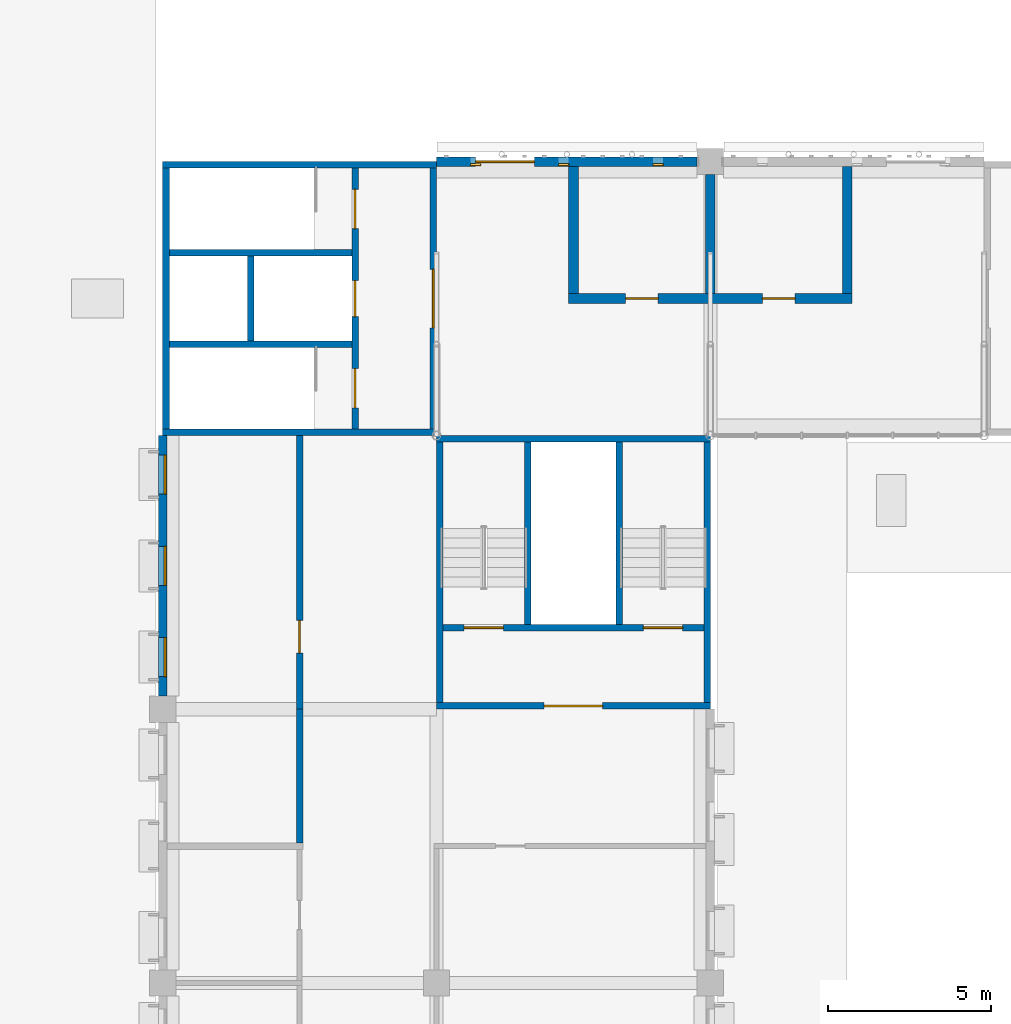
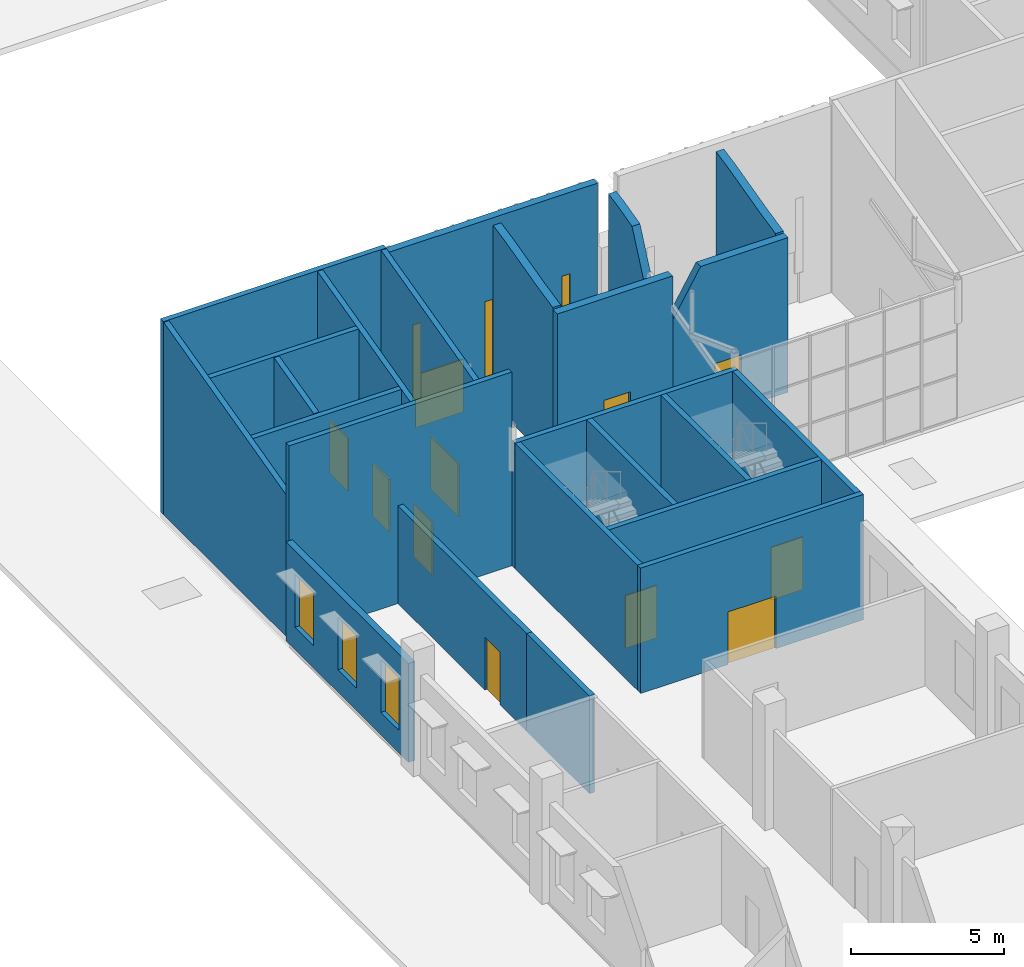
# One storey, part 34 of 101: 24 walls, 11 doors, 6 windows, 17 openings.
"""IFC4 building model written with IfcOpenShell, lengths in metres."""

from ifc_helpers import new_model, si_unit, direction, frame, frame_2d, origin, place, context, subcontext, project, spatial, polyline, rectangle, outline, extrude, material, layer, layer_set, type_object, element, fill, save


model = new_model("IFC4")

# Units and contexts
model_context = context("Model", 3, precision=1e-05, world=origin(), true_north=direction((0.0, 1.0)))
body_context = subcontext(model_context, "Body", "Model", "MODEL_VIEW")
ifc_project = project(units=[si_unit("LENGTHUNIT", "METRE"), si_unit("AREAUNIT", "SQUARE_METRE"), si_unit("VOLUMEUNIT", "CUBIC_METRE"), si_unit("PLANEANGLEUNIT", "RADIAN"), si_unit("MASSUNIT", "GRAM", prefix="KILO")], contexts=[model_context])

# Site, building, storey
site_placement = place(None, origin())
site = spatial("IfcSite", under=ifc_project, at=site_placement, CompositionType="ELEMENT")
building_placement = place(site_placement, origin())
building = spatial("IfcBuilding", under=site, at=building_placement, Name="Almond Square Museum", CompositionType="ELEMENT")
storey_placement = place(building_placement, frame((0.0, 0.0, 5.5)))
storey = spatial("IfcBuildingStorey", under=building, at=storey_placement, Name="L01", CompositionType="ELEMENT", Elevation=5.5)

# Wall
ifc_material_1 = material(Name="Acoustic gypsum board on double steel stud", Category="steel")
ifc_layer_1 = layer(ifc_material_1, 0.300048828125)
ifc_layer_set_1 = layer_set([ifc_layer_1], Name="Acoustic gypsum board on double steel stud")
wall_type_1 = type_object("IfcWallType", Name="Acoustic wall 300 double stud", PredefinedType="PARTITIONING", material=ifc_layer_set_1)
wall_1_placement = place(storey_placement, frame((18.60009765625, 79.949951171875, 0.0), z_axis=(0.0, 0.0, 1.0), x_axis=(0.0, 1.0, 0.0)))
element("IfcWall", 1, at=wall_1_placement, inside=storey, type_object=wall_type_1, Name="L01 partition 27", PredefinedType="PARTITIONING", context=body_context, shape_type="SweptSolid", body=[
    extrude(outline(polyline([(0.0, 0.0), (3.900146484375, 0.0), (3.89990234375, 7.14892578125), (3.14990234375, 6.9970703125), (2.10009765625, 6.73193359375), (1.050048828125, 6.466064453125), (0.0, 6.238037109375), (0.0, 0.0)])), frame((0.0, 0.14990234375, 0.0), z_axis=(0.0, -1.0, 0.0), x_axis=(1.0, 0.0, 0.0)), (0.0, 0.0, 1.0), 0.300048828125),
])

# Wall, opening, door
wall_2_placement = place(storey_placement, frame((18.449951171875, 79.800048828125, 0.0), z_axis=(0.0, 0.0, 1.0), x_axis=(1.0, 0.0, 0.0)))
wall_2 = element("IfcWall", 2, at=wall_2_placement, inside=storey, type_object=wall_type_1, Name="L01 partition 28", PredefinedType="PARTITIONING", context=body_context, shape_type="SweptSolid", body=[
    extrude(rectangle(XDim=4.35009765625, YDim=0.300048828125, at=frame_2d((2.175048828125, 0.0))), origin(), (0.0, 0.0, 1.0), 6.162109375),
])
opening_1_placement = place(wall_2_placement, frame((1.75, 0.0, 0.0)))
opening_1 = element("IfcOpeningElement", 3, at=opening_1_placement, cuts=wall_2, Name="Opening D1107", PredefinedType="OPENING", context=body_context, shape_type="SweptSolid", body=[
    extrude(rectangle(XDim=1.0, YDim=2.10009765625, at=frame_2d((0.5, 1.050048828125))), frame((0.0, 0.159912109375, 0.0), z_axis=(0.0, -1.0, 0.0), x_axis=(1.0, 0.0, 0.0)), (0.0, 0.0, 1.0), 0.320068359375),
])
ifc_material_2 = material(Name="Steel", Category="steel")
door_type_1 = type_object("IfcDoorType", Name="Fire door 1000 x 2100 FD60 single", OperationType="NOTDEFINED", PredefinedType="DOOR", material=ifc_material_2)
door_1_placement = place(opening_1_placement, origin())
door_1 = element("IfcDoor", 4, at=door_1_placement, inside=storey, type_object=door_type_1, Name="L01 door Control Room to Rear Foyer", OperationType="SINGLE_SWING_LEFT", OverallHeight=2.10009765625, OverallWidth=1.0, PredefinedType="DOOR", context=body_context, shape_type="SweptSolid", body=[
    extrude(rectangle(XDim=1.0, YDim=2.10009765625, at=frame_2d((0.5, 1.050048828125))), frame((0.0, 0.02490234375, 0.0), z_axis=(0.0, -1.0, 0.0), x_axis=(1.0, 0.0, 0.0)), (0.0, 0.0, 1.0), 0.050048828125),
])
fill(opening_1, door_1)

wall_3_placement = place(storey_placement, frame((22.800048828125, 79.800048828125, 0.0), z_axis=(0.0, 0.0, 1.0), x_axis=(1.0, 0.0, 0.0)))
wall_3 = element("IfcWall", 5, at=wall_3_placement, inside=storey, type_object=wall_type_1, Name="L01 partition 29", PredefinedType="PARTITIONING", context=body_context, shape_type="SweptSolid", body=[
    extrude(outline(polyline([(0.0, 0.0), (4.349853515625, 0.0), (4.35009765625, 6.162109375), (1.050048828125, 6.162109375), (0.0, 4.39794921875), (0.0, 0.0)])), frame((0.0, 0.14990234375, 0.0), z_axis=(0.0, -1.0, 0.0), x_axis=(1.0, 0.0, 0.0)), (0.0, 0.0, 1.0), 0.300048828125),
])
opening_2_placement = place(wall_3_placement, frame((1.60009765625, 0.0, 0.0)))
opening_2 = element("IfcOpeningElement", 6, at=opening_2_placement, cuts=wall_3, Name="Opening D1108", PredefinedType="OPENING", context=body_context, shape_type="SweptSolid", body=[
    extrude(rectangle(XDim=1.0, YDim=2.10009765625, at=frame_2d((0.5, 1.050048828125))), frame((0.0, 0.159912109375, 0.0), z_axis=(0.0, -1.0, 0.0), x_axis=(1.0, 0.0, 0.0)), (0.0, 0.0, 1.0), 0.320068359375),
])
door_2_placement = place(opening_2_placement, origin())
door_2 = element("IfcDoor", 7, at=door_2_placement, inside=storey, type_object=door_type_1, Name="L01 door Projection Room to Rear Foyer", OperationType="SINGLE_SWING_RIGHT", OverallHeight=2.10009765625, OverallWidth=1.0, PredefinedType="DOOR", context=body_context, shape_type="SweptSolid", body=[
    extrude(rectangle(XDim=1.0, YDim=2.10009765625, at=frame_2d((0.5, 1.050048828125))), frame((0.0, 0.02490234375, 0.0), z_axis=(0.0, -1.0, 0.0), x_axis=(1.0, 0.0, 0.0)), (0.0, 0.0, 1.0), 0.050048828125),
])
fill(opening_2, door_2)

# Walls
wall_4_placement = place(storey_placement, frame((22.800048828125, 79.949951171875, 0.0), z_axis=(0.0, 0.0, 1.0), x_axis=(0.0, 1.0, 0.0)))
element("IfcWall", 8, at=wall_4_placement, inside=storey, type_object=wall_type_1, Name="L01 partition 30", PredefinedType="PARTITIONING", context=body_context, shape_type="SweptSolid", body=[
    extrude(outline(polyline([(0.0, 0.0), (3.650146484375, 0.0), (3.64990234375, 7.0859375), (3.14990234375, 6.9970703125), (2.10009765625, 6.73193359375), (1.050048828125, 4.39794921875), (0.0, 4.39794921875), (0.0, 0.0)])), frame((0.0, 0.14990234375, 0.0), z_axis=(0.0, -1.0, 0.0), x_axis=(1.0, 0.0, 0.0)), (0.0, 0.0, 1.0), 0.300048828125),
])
wall_5_placement = place(storey_placement, frame((27.0, 79.949951171875, 0.0), z_axis=(0.0, 0.0, 1.0), x_axis=(0.0, 1.0, 0.0)))
element("IfcWall", 9, at=wall_5_placement, inside=storey, type_object=wall_type_1, Name="L01 partition 31", PredefinedType="PARTITIONING", context=body_context, shape_type="SweptSolid", body=[
    extrude(outline(polyline([(0.0, 0.0), (3.900146484375, 0.0), (3.89990234375, 7.14892578125), (3.14990234375, 6.9970703125), (2.10009765625, 6.73193359375), (1.050048828125, 6.466064453125), (0.0, 6.238037109375), (0.0, 0.0)])), frame((0.0, 0.14990234375, 0.0), z_axis=(0.0, -1.0, 0.0), x_axis=(1.0, 0.0, 0.0)), (0.0, 0.0, 1.0), 0.300048828125),
])
ifc_material_3 = material(Name="Concrete blockwork 200", Category="masonry")
ifc_layer_2 = layer(ifc_material_3, 0.199951171875)
ifc_layer_set_2 = layer_set([ifc_layer_2], Name="Concrete blockwork 200")
wall_type_2 = type_object("IfcWallType", Name="Fire partition 200 blockwork", PredefinedType="PARTITIONING", material=ifc_layer_set_2)
wall_6_placement = place(storey_placement, frame((10.199951171875, 63.10009765625, 0.0), z_axis=(0.0, 0.0, 1.0), x_axis=(0.0, 1.0, 0.0)))
element("IfcWall", 10, at=wall_6_placement, inside=storey, type_object=wall_type_2, Name="L01 partition 33", PredefinedType="PARTITIONING", context=body_context, shape_type="SweptSolid", body=[
    extrude(rectangle(XDim=4.099853515625, YDim=0.199951171875, at=frame_2d((2.0498046875, 0.0))), origin(), (0.0, 0.0, 1.0), 3.89990234375),
])

# Wall, opening, door
wall_7_placement = place(storey_placement, frame((10.199951171875, 67.199951171875, 0.0), z_axis=(0.0, 0.0, 1.0), x_axis=(0.0, 1.0, 0.0)))
wall_7 = element("IfcWall", 11, at=wall_7_placement, inside=storey, type_object=wall_type_2, Name="L01 partition 34", PredefinedType="PARTITIONING", context=body_context, shape_type="SweptSolid", body=[
    extrude(rectangle(XDim=8.400146484375, YDim=0.199951171875, at=frame_2d((4.2001953125, 0.0))), origin(), (0.0, 0.0, 1.0), 3.89990234375),
])
opening_3_placement = place(wall_7_placement, frame((1.72509765625, 0.0, 0.0)))
opening_3 = element("IfcOpeningElement", 12, at=opening_3_placement, cuts=wall_7, Name="Opening D1109", PredefinedType="OPENING", context=body_context, shape_type="SweptSolid", body=[
    extrude(rectangle(XDim=1.0, YDim=2.10009765625, at=frame_2d((0.5, 1.050048828125))), frame((0.0, 0.10986328125, 0.0), z_axis=(0.0, -1.0, 0.0), x_axis=(1.0, 0.0, 0.0)), (0.0, 0.0, 1.0), 0.219970703125),
])
door_3_placement = place(opening_3_placement, origin())
door_3 = element("IfcDoor", 13, at=door_3_placement, inside=storey, type_object=door_type_1, Name="L01 door Cleaners' Store 1 to Wing Corridor 3", OperationType="SINGLE_SWING_LEFT", OverallHeight=2.10009765625, OverallWidth=1.0, PredefinedType="DOOR", context=body_context, shape_type="SweptSolid", body=[
    extrude(rectangle(XDim=1.0, YDim=2.10009765625, at=frame_2d((0.5, 1.050048828125))), frame((0.0, 0.02490234375, 0.0), z_axis=(0.0, -1.0, 0.0), x_axis=(1.0, 0.0, 0.0)), (0.0, 0.0, 1.0), 0.050048828125),
])
fill(opening_3, door_3)

# Wall, openings, windows
ifc_material_4 = material(Name="Precast concrete C40/50", Category="concrete")
ifc_layer_3 = layer(ifc_material_4, 0.25)
ifc_layer_set_3 = layer_set([ifc_layer_3], Name="Precast concrete C40/50")
wall_type_3 = type_object("IfcWallType", Name="Precast concrete panel wall 250 with coral limestone piers", PredefinedType="SOLIDWALL", material=ifc_layer_set_3)
wall_8_placement = place(storey_placement, frame((6.0, 67.60009765625, 0.0), z_axis=(0.0, 0.0, 1.0), x_axis=(0.0, 1.0, 0.0)))
wall_8 = element("IfcWall", 14, at=wall_8_placement, inside=storey, type_object=wall_type_3, Name="External wall W2 V4W L01 W01", PredefinedType="SOLIDWALL", context=body_context, shape_type="SweptSolid", body=[
    extrude(rectangle(XDim=8.0, YDim=0.25, at=frame_2d((4.0, 0.0))), origin(), (0.0, 0.0, 1.0), 3.93994140625),
])
opening_4_placement = place(wall_8_placement, frame((0.60009765625, 0.0, 0.89990234375)))
opening_4 = element("IfcOpeningElement", 15, at=opening_4_placement, cuts=wall_8, Name="Opening W1038", PredefinedType="OPENING", context=body_context, shape_type="SweptSolid", body=[
    extrude(rectangle(XDim=1.199951171875, YDim=2.10009765625, at=frame_2d((0.60009765625, 1.050048828125))), frame((0.0, 0.135009765625, 0.0), z_axis=(0.0, -1.0, 0.0), x_axis=(1.0, 0.0, 0.0)), (0.0, 0.0, 1.0), 0.27001953125),
])
opening_5_placement = place(wall_8_placement, frame((3.39990234375, 0.0, 0.89990234375)))
opening_5 = element("IfcOpeningElement", 16, at=opening_5_placement, cuts=wall_8, Name="Opening W1039", PredefinedType="OPENING", context=body_context, shape_type="SweptSolid", body=[
    extrude(rectangle(XDim=1.199951171875, YDim=2.10009765625, at=frame_2d((0.60009765625, 1.050048828125))), frame((0.0, 0.135009765625, 0.0), z_axis=(0.0, -1.0, 0.0), x_axis=(1.0, 0.0, 0.0)), (0.0, 0.0, 1.0), 0.27001953125),
])
opening_6_placement = place(wall_8_placement, frame((6.199951171875, 0.0, 0.89990234375)))
opening_6 = element("IfcOpeningElement", 17, at=opening_6_placement, cuts=wall_8, Name="Opening W1040", PredefinedType="OPENING", context=body_context, shape_type="SweptSolid", body=[
    extrude(rectangle(XDim=1.199951171875, YDim=2.10009765625, at=frame_2d((0.60009765625, 1.050048828125))), frame((0.0, 0.135009765625, 0.0), z_axis=(0.0, -1.0, 0.0), x_axis=(1.0, 0.0, 0.0)), (0.0, 0.0, 1.0), 0.27001953125),
])
ifc_material_5 = material(Name="Anodised aluminium louvre and laminated glass", Category="aluminium")
window_type_1 = type_object("IfcWindowType", Name="Louvred pier window", PartitioningType="SINGLE_PANEL", PredefinedType="WINDOW", material=ifc_material_5)
window_1_placement = place(opening_4_placement, origin())
window_1 = element("IfcWindow", 18, at=window_1_placement, inside=storey, type_object=window_type_1, Name="Louvred pier window W1038", OverallHeight=2.10009765625, OverallWidth=1.199951171875, PartitioningType="SINGLE_PANEL", PredefinedType="WINDOW", context=body_context, shape_type="SweptSolid", body=[
    extrude(rectangle(XDim=1.199951171875, YDim=2.10009765625, at=frame_2d((0.60009765625, 1.050048828125))), frame((0.0, -0.044921875, 0.0), z_axis=(0.0, -1.0, 0.0), x_axis=(1.0, 0.0, 0.0)), (0.0, 0.0, 1.0), 0.06005859375),
])
fill(opening_4, window_1)
window_2_placement = place(opening_5_placement, origin())
window_2 = element("IfcWindow", 19, at=window_2_placement, inside=storey, type_object=window_type_1, Name="Louvred pier window W1039", OverallHeight=2.10009765625, OverallWidth=1.199951171875, PartitioningType="SINGLE_PANEL", PredefinedType="WINDOW", context=body_context, shape_type="SweptSolid", body=[
    extrude(rectangle(XDim=1.199951171875, YDim=2.10009765625, at=frame_2d((0.60009765625, 1.050048828125))), frame((0.0, -0.044921875, 0.0), z_axis=(0.0, -1.0, 0.0), x_axis=(1.0, 0.0, 0.0)), (0.0, 0.0, 1.0), 0.06005859375),
])
fill(opening_5, window_2)
window_3_placement = place(opening_6_placement, origin())
window_3 = element("IfcWindow", 20, at=window_3_placement, inside=storey, type_object=window_type_1, Name="Louvred pier window W1040", OverallHeight=2.10009765625, OverallWidth=1.199951171875, PartitioningType="SINGLE_PANEL", PredefinedType="WINDOW", context=body_context, shape_type="SweptSolid", body=[
    extrude(rectangle(XDim=1.199951171875, YDim=2.10009765625, at=frame_2d((0.60009765625, 1.050048828125))), frame((0.0, -0.044921875, 0.0), z_axis=(0.0, -1.0, 0.0), x_axis=(1.0, 0.0, 0.0)), (0.0, 0.0, 1.0), 0.06005859375),
])
fill(opening_6, window_3)

# Walls
ifc_material_6 = material(Name="Concrete C40/50", Category="concrete")
ifc_layer_4 = layer(ifc_material_6, 0.199951171875)
ifc_layer_set_4 = layer_set([ifc_layer_4], Name="Concrete C40/50")
wall_type_4 = type_object("IfcWallType", Name="RC shear wall 200 C40/50", PredefinedType="SHEAR", material=ifc_layer_set_4)
wall_9_placement = place(storey_placement, frame((6.0, 75.699951171875, 0.0), z_axis=(0.0, 0.0, 1.0), x_axis=(1.0, 0.0, 0.0)))
element("IfcWall", 21, at=wall_9_placement, inside=storey, type_object=wall_type_4, Name="Core U1 south wall L01", PredefinedType="SHEAR", context=body_context, shape_type="SweptSolid", body=[
    extrude(rectangle(XDim=8.39990234375, YDim=0.199951171875, at=frame_2d((4.199951171875, 0.0))), origin(), (0.0, 0.0, 1.0), 7.72509765625),
])
wall_10_placement = place(storey_placement, frame((6.0, 83.89990234375, 0.0), z_axis=(0.0, 0.0, 1.0), x_axis=(1.0, 0.0, 0.0)))
element("IfcWall", 22, at=wall_10_placement, inside=storey, type_object=wall_type_4, Name="Core U1 north wall L01", PredefinedType="SHEAR", context=body_context, shape_type="SweptSolid", body=[
    extrude(rectangle(XDim=8.39990234375, YDim=0.199951171875, at=frame_2d((4.199951171875, 0.0))), origin(), (0.0, 0.0, 1.0), 7.699951171875),
])
wall_11_placement = place(storey_placement, frame((6.10009765625, 75.800048828125, 0.0), z_axis=(0.0, 0.0, 1.0), x_axis=(0.0, 1.0, 0.0)))
element("IfcWall", 23, at=wall_11_placement, inside=storey, type_object=wall_type_4, Name="Core U1 west wall L01", PredefinedType="SHEAR", context=body_context, shape_type="SweptSolid", body=[
    extrude(outline(polyline([(0.0, 0.0), (8.0, 0.0), (8.0, 7.674072265625), (7.407470703125, 7.52392578125), (7.111083984375, 7.449951171875), (0.888916015625, 5.875), (0.592529296875, 5.801025390625), (0.0, 5.65087890625), (0.0, 0.0)])), frame((0.0, 0.10009765625, 0.0), z_axis=(0.0, -1.0, 0.0), x_axis=(1.0, 0.0, 0.0)), (0.0, 0.0, 1.0), 0.199951171875),
])

# Wall, opening, door
wall_12_placement = place(storey_placement, frame((14.300048828125, 75.800048828125, 0.0), z_axis=(0.0, 0.0, 1.0), x_axis=(0.0, 1.0, 0.0)))
wall_12 = element("IfcWall", 24, at=wall_12_placement, inside=storey, type_object=wall_type_4, Name="Core U1 east wall L01", PredefinedType="SHEAR", context=body_context, shape_type="SweptSolid", body=[
    extrude(outline(polyline([(0.0, 0.0), (8.0, 0.0), (8.0, 7.674072265625), (7.407470703125, 7.52392578125), (7.111083984375, 7.449951171875), (0.888916015625, 5.875), (0.592529296875, 5.801025390625), (0.0, 5.65087890625), (0.0, 0.0)])), frame((0.0, 0.10009765625, 0.0), z_axis=(0.0, -1.0, 0.0), x_axis=(1.0, 0.0, 0.0)), (0.0, 0.0, 1.0), 0.199951171875),
])
opening_7_placement = place(wall_12_placement, frame((3.10009765625, 0.0, 0.0)))
opening_7 = element("IfcOpeningElement", 25, at=opening_7_placement, cuts=wall_12, Name="Opening D1172", PredefinedType="OPENING", context=body_context, shape_type="SweptSolid", body=[
    extrude(rectangle(XDim=1.800048828125, YDim=2.10009765625, at=frame_2d((0.89990234375, 1.050048828125))), frame((0.0, 0.10986328125, 0.0), z_axis=(0.0, -1.0, 0.0), x_axis=(1.0, 0.0, 0.0)), (0.0, 0.0, 1.0), 0.219970703125),
])
ifc_material_7 = material(Name="Steel", Category="steel")
door_type_2 = type_object("IfcDoorType", Name="Fire door 1800 x 2100 FD60 double", OperationType="NOTDEFINED", PredefinedType="DOOR", material=ifc_material_7)
door_4_placement = place(opening_7_placement, origin())
door_4 = element("IfcDoor", 26, at=door_4_placement, inside=storey, type_object=door_type_2, Name="L01 stair core U1 lobby door", OperationType="DOUBLE_DOOR_SINGLE_SWING", OverallHeight=2.10009765625, OverallWidth=1.800048828125, PredefinedType="DOOR", context=body_context, shape_type="SweptSolid", body=[
    extrude(rectangle(XDim=1.800048828125, YDim=2.10009765625, at=frame_2d((0.89990234375, 1.050048828125))), frame((0.0, 0.02490234375, 0.0), z_axis=(0.0, -1.0, 0.0), x_axis=(1.0, 0.0, 0.0)), (0.0, 0.0, 1.0), 0.050048828125),
])
fill(opening_7, door_4)

# Wall, openings, doors
wall_13_placement = place(storey_placement, frame((11.89990234375, 75.800048828125, 0.0), z_axis=(0.0, 0.0, 1.0), x_axis=(0.0, 1.0, 0.0)))
wall_13 = element("IfcWall", 27, at=wall_13_placement, inside=storey, type_object=wall_type_4, Name="Core U1 lobby wall L01", PredefinedType="SHEAR", context=body_context, shape_type="SweptSolid", body=[
    extrude(outline(polyline([(0.0, 0.0), (8.0, 0.0), (8.0, 7.674072265625), (7.407470703125, 7.52392578125), (7.111083984375, 7.449951171875), (0.888916015625, 5.875), (0.592529296875, 5.801025390625), (0.0, 5.65087890625), (0.0, 0.0)])), frame((0.0, 0.10009765625, 0.0), z_axis=(0.0, -1.0, 0.0), x_axis=(1.0, 0.0, 0.0)), (0.0, 0.0, 1.0), 0.199951171875),
])
opening_8_placement = place(wall_13_placement, frame((0.64990234375, 0.0, 0.0)))
opening_8 = element("IfcOpeningElement", 28, at=opening_8_placement, cuts=wall_13, Name="Opening D1173", PredefinedType="OPENING", context=body_context, shape_type="SweptSolid", body=[
    extrude(rectangle(XDim=1.199951171875, YDim=2.10009765625, at=frame_2d((0.60009765625, 1.050048828125))), frame((0.0, 0.10986328125, 0.0), z_axis=(0.0, -1.0, 0.0), x_axis=(1.0, 0.0, 0.0)), (0.0, 0.0, 1.0), 0.219970703125),
])
opening_9_placement = place(wall_13_placement, frame((6.14990234375, 0.0, 0.0)))
opening_9 = element("IfcOpeningElement", 29, at=opening_9_placement, cuts=wall_13, Name="Opening D1174", PredefinedType="OPENING", context=body_context, shape_type="SweptSolid", body=[
    extrude(rectangle(XDim=1.199951171875, YDim=2.10009765625, at=frame_2d((0.60009765625, 1.050048828125))), frame((0.0, 0.10986328125, 0.0), z_axis=(0.0, -1.0, 0.0), x_axis=(1.0, 0.0, 0.0)), (0.0, 0.0, 1.0), 0.219970703125),
])
opening_10_placement = place(wall_13_placement, frame((3.449951171875, 0.0, 0.0)))
opening_10 = element("IfcOpeningElement", 30, at=opening_10_placement, cuts=wall_13, Name="Opening D1175", PredefinedType="OPENING", context=body_context, shape_type="SweptSolid", body=[
    extrude(rectangle(XDim=1.10009765625, YDim=2.10009765625, at=frame_2d((0.550048828125, 1.050048828125))), frame((0.0, 0.10986328125, 0.0), z_axis=(0.0, -1.0, 0.0), x_axis=(1.0, 0.0, 0.0)), (0.0, 0.0, 1.0), 0.219970703125),
])
ifc_material_8 = material(Name="Steel", Category="steel")
door_type_3 = type_object("IfcDoorType", Name="Fire door 1200 x 2100 FD120 stair", OperationType="NOTDEFINED", PredefinedType="DOOR", material=ifc_material_8)
door_5_placement = place(opening_8_placement, origin())
door_5 = element("IfcDoor", 31, at=door_5_placement, inside=storey, type_object=door_type_3, Name="L01 stair U1-1 door", OperationType="SINGLE_SWING_LEFT", OverallHeight=2.10009765625, OverallWidth=1.199951171875, PredefinedType="DOOR", context=body_context, shape_type="SweptSolid", body=[
    extrude(rectangle(XDim=1.199951171875, YDim=2.10009765625, at=frame_2d((0.60009765625, 1.050048828125))), frame((0.0, 0.02490234375, 0.0), z_axis=(0.0, -1.0, 0.0), x_axis=(1.0, 0.0, 0.0)), (0.0, 0.0, 1.0), 0.050048828125),
])
fill(opening_8, door_5)
door_6_placement = place(opening_9_placement, origin())
door_6 = element("IfcDoor", 32, at=door_6_placement, inside=storey, type_object=door_type_3, Name="L01 stair U1-2 door", OperationType="SINGLE_SWING_RIGHT", OverallHeight=2.10009765625, OverallWidth=1.199951171875, PredefinedType="DOOR", context=body_context, shape_type="SweptSolid", body=[
    extrude(rectangle(XDim=1.199951171875, YDim=2.10009765625, at=frame_2d((0.60009765625, 1.050048828125))), frame((0.0, 0.02490234375, 0.0), z_axis=(0.0, -1.0, 0.0), x_axis=(1.0, 0.0, 0.0)), (0.0, 0.0, 1.0), 0.050048828125),
])
fill(opening_9, door_6)
ifc_material_9 = material(Name="Stainless steel", Category="steel")
door_type_4 = type_object("IfcDoorType", Name="Lift landing door 1100 x 2100", OperationType="NOTDEFINED", PredefinedType="DOOR", material=ifc_material_9)
door_7_placement = place(opening_10_placement, origin())
door_7 = element("IfcDoor", 33, at=door_7_placement, inside=storey, type_object=door_type_4, Name="L01 lift PL-U1 landing door", OperationType="DOUBLE_DOOR_SLIDING", OverallHeight=2.10009765625, OverallWidth=1.10009765625, PredefinedType="DOOR", context=body_context, shape_type="SweptSolid", body=[
    extrude(rectangle(XDim=1.10009765625, YDim=2.10009765625, at=frame_2d((0.550048828125, 1.050048828125))), frame((0.0, 0.02490234375, 0.0), z_axis=(0.0, -1.0, 0.0), x_axis=(1.0, 0.0, 0.0)), (0.0, 0.0, 1.0), 0.050048828125),
])
fill(opening_10, door_7)

# Walls
wall_14_placement = place(storey_placement, frame((6.199951171875, 78.39990234375, 0.0), z_axis=(0.0, 0.0, 1.0), x_axis=(1.0, 0.0, 0.0)))
element("IfcWall", 34, at=wall_14_placement, inside=storey, type_object=wall_type_4, Name="Core U1 partition wall L01", PredefinedType="SHEAR", context=body_context, shape_type="SweptSolid", body=[
    extrude(rectangle(XDim=5.60009765625, YDim=0.199951171875, at=frame_2d((2.800048828125, 0.0))), origin(), (0.0, 0.0, 1.0), 6.3076171875),
])
wall_15_placement = place(storey_placement, frame((6.199951171875, 81.199951171875, 0.0), z_axis=(0.0, 0.0, 1.0), x_axis=(1.0, 0.0, 0.0)))
element("IfcWall", 35, at=wall_15_placement, inside=storey, type_object=wall_type_4, Name="Core U1 partition wall L01", PredefinedType="SHEAR", context=body_context, shape_type="SweptSolid", body=[
    extrude(rectangle(XDim=5.60009765625, YDim=0.199951171875, at=frame_2d((2.800048828125, 0.0))), origin(), (0.0, 0.0, 1.0), 7.017578125),
])
wall_16_placement = place(storey_placement, frame((8.699951171875, 78.5, 0.0), z_axis=(0.0, 0.0, 1.0), x_axis=(0.0, 1.0, 0.0)))
element("IfcWall", 36, at=wall_16_placement, inside=storey, type_object=wall_type_4, Name="Core U1 partition wall L01", PredefinedType="SHEAR", context=body_context, shape_type="SweptSolid", body=[
    extrude(outline(polyline([(0.0, 0.0), (2.60009765625, 0.0), (2.60009765625, 6.990966796875), (0.0, 6.333984375), (0.0, 0.0)])), frame((0.0, 0.10009765625, 0.0), z_axis=(0.0, -1.0, 0.0), x_axis=(1.0, 0.0, 0.0)), (0.0, 0.0, 1.0), 0.199951171875),
])

# Wall, opening, door
wall_17_placement = place(storey_placement, frame((14.39990234375, 67.300048828125, 0.0), z_axis=(0.0, 0.0, 1.0), x_axis=(1.0, 0.0, 0.0)))
wall_17 = element("IfcWall", 37, at=wall_17_placement, inside=storey, type_object=wall_type_4, Name="Core W2 south wall L01", PredefinedType="SHEAR", context=body_context, shape_type="SweptSolid", body=[
    extrude(rectangle(XDim=8.400146484375, YDim=0.199951171875, at=frame_2d((4.2001953125, 0.0))), origin(), (0.0, 0.0, 1.0), 5.0),
])
opening_11_placement = place(wall_17_placement, frame((3.300048828125, 0.0, 0.0)))
opening_11 = element("IfcOpeningElement", 38, at=opening_11_placement, cuts=wall_17, Name="Opening D1190", PredefinedType="OPENING", context=body_context, shape_type="SweptSolid", body=[
    extrude(rectangle(XDim=1.800048828125, YDim=2.10009765625, at=frame_2d((0.89990234375, 1.050048828125))), frame((0.0, 0.10986328125, 0.0), z_axis=(0.0, -1.0, 0.0), x_axis=(1.0, 0.0, 0.0)), (0.0, 0.0, 1.0), 0.219970703125),
])
door_8_placement = place(opening_11_placement, origin())
door_8 = element("IfcDoor", 39, at=door_8_placement, inside=storey, type_object=door_type_2, Name="L01 stair core W2 lobby door", OperationType="DOUBLE_DOOR_SINGLE_SWING", OverallHeight=2.10009765625, OverallWidth=1.800048828125, PredefinedType="DOOR", context=body_context, shape_type="SweptSolid", body=[
    extrude(rectangle(XDim=1.800048828125, YDim=2.10009765625, at=frame_2d((0.89990234375, 1.050048828125))), frame((0.0, 0.02490234375, 0.0), z_axis=(0.0, -1.0, 0.0), x_axis=(1.0, 0.0, 0.0)), (0.0, 0.0, 1.0), 0.050048828125),
])
fill(opening_11, door_8)

# Walls
wall_18_placement = place(storey_placement, frame((14.39990234375, 75.5, 0.0), z_axis=(0.0, 0.0, 1.0), x_axis=(1.0, 0.0, 0.0)))
element("IfcWall", 40, at=wall_18_placement, inside=storey, type_object=wall_type_4, Name="Core W2 north wall L01", PredefinedType="SHEAR", context=body_context, shape_type="SweptSolid", body=[
    extrude(rectangle(XDim=8.400146484375, YDim=0.199951171875, at=frame_2d((4.2001953125, 0.0))), origin(), (0.0, 0.0, 1.0), 5.0),
])
for number, where, z_axis, x_axis, name in (
    (41, (14.5, 67.39990234375, 0.0), (0.0, 0.0, 1.0), (0.0, 1.0, 0.0), "Core W2 west wall L01"),
    (42, (22.699951171875, 67.39990234375, 0.0), (0.0, 0.0, 1.0), (0.0, 1.0, 0.0), "Core W2 east wall L01"),
):
    element("IfcWall", number, at=place(storey_placement, frame(where, z_axis=z_axis, x_axis=x_axis)), inside=storey, type_object=wall_type_4, Name=name, PredefinedType="SHEAR", context=body_context, shape_type="SweptSolid", body=[
        extrude(rectangle(XDim=8.0, YDim=0.199951171875, at=frame_2d((4.0, 0.0))), origin(), (0.0, 0.0, 1.0), 5.0),
    ])

# Wall, openings, doors
wall_19_placement = place(storey_placement, frame((14.60009765625, 69.699951171875, 0.0), z_axis=(0.0, 0.0, 1.0), x_axis=(1.0, 0.0, 0.0)))
wall_19 = element("IfcWall", 43, at=wall_19_placement, inside=storey, type_object=wall_type_4, Name="Core W2 lobby wall L01", PredefinedType="SHEAR", context=body_context, shape_type="SweptSolid", body=[
    extrude(rectangle(XDim=8.0, YDim=0.199951171875, at=frame_2d((4.0, 0.0))), origin(), (0.0, 0.0, 1.0), 5.0),
])
opening_12_placement = place(wall_19_placement, frame((0.64990234375, 0.0, 0.0)))
opening_12 = element("IfcOpeningElement", 44, at=opening_12_placement, cuts=wall_19, Name="Opening D1191", PredefinedType="OPENING", context=body_context, shape_type="SweptSolid", body=[
    extrude(rectangle(XDim=1.199951171875, YDim=2.10009765625, at=frame_2d((0.60009765625, 1.050048828125))), frame((0.0, 0.10986328125, 0.0), z_axis=(0.0, -1.0, 0.0), x_axis=(1.0, 0.0, 0.0)), (0.0, 0.0, 1.0), 0.219970703125),
])
opening_13_placement = place(wall_19_placement, frame((6.14990234375, 0.0, 0.0)))
opening_13 = element("IfcOpeningElement", 45, at=opening_13_placement, cuts=wall_19, Name="Opening D1192", PredefinedType="OPENING", context=body_context, shape_type="SweptSolid", body=[
    extrude(rectangle(XDim=1.199951171875, YDim=2.10009765625, at=frame_2d((0.60009765625, 1.050048828125))), frame((0.0, 0.10986328125, 0.0), z_axis=(0.0, -1.0, 0.0), x_axis=(1.0, 0.0, 0.0)), (0.0, 0.0, 1.0), 0.219970703125),
])
door_9_placement = place(opening_12_placement, origin())
door_9 = element("IfcDoor", 46, at=door_9_placement, inside=storey, type_object=door_type_3, Name="L01 stair W2-1 door", OperationType="SINGLE_SWING_LEFT", OverallHeight=2.10009765625, OverallWidth=1.199951171875, PredefinedType="DOOR", context=body_context, shape_type="SweptSolid", body=[
    extrude(rectangle(XDim=1.199951171875, YDim=2.10009765625, at=frame_2d((0.60009765625, 1.050048828125))), frame((0.0, 0.02490234375, 0.0), z_axis=(0.0, -1.0, 0.0), x_axis=(1.0, 0.0, 0.0)), (0.0, 0.0, 1.0), 0.050048828125),
])
fill(opening_12, door_9)
door_10_placement = place(opening_13_placement, origin())
door_10 = element("IfcDoor", 47, at=door_10_placement, inside=storey, type_object=door_type_3, Name="L01 stair W2-2 door", OperationType="SINGLE_SWING_RIGHT", OverallHeight=2.10009765625, OverallWidth=1.199951171875, PredefinedType="DOOR", context=body_context, shape_type="SweptSolid", body=[
    extrude(rectangle(XDim=1.199951171875, YDim=2.10009765625, at=frame_2d((0.60009765625, 1.050048828125))), frame((0.0, 0.02490234375, 0.0), z_axis=(0.0, -1.0, 0.0), x_axis=(1.0, 0.0, 0.0)), (0.0, 0.0, 1.0), 0.050048828125),
])
fill(opening_13, door_10)

# Walls
for number, where, z_axis, x_axis, name in (
    (48, (17.199951171875, 69.800048828125, 0.0), (0.0, 0.0, 1.0), (0.0, 1.0, 0.0), "Core W2 partition wall L01"),
    (49, (20.0, 69.800048828125, 0.0), (0.0, 0.0, 1.0), (0.0, 1.0, 0.0), "Core W2 partition wall L01"),
):
    element("IfcWall", number, at=place(storey_placement, frame(where, z_axis=z_axis, x_axis=x_axis)), inside=storey, type_object=wall_type_4, Name=name, PredefinedType="SHEAR", context=body_context, shape_type="SweptSolid", body=[
        extrude(rectangle(XDim=5.599853515625, YDim=0.199951171875, at=frame_2d((2.7998046875, 0.0))), origin(), (0.0, 0.0, 1.0), 5.0),
    ])

# Wall, openings, door, windows
ifc_material_10 = material(Name="Concrete C30/37", Category="concrete")
ifc_layer_5 = layer(ifc_material_10, 0.280029296875)
ifc_layer_set_5 = layer_set([ifc_layer_5], Name="Concrete C30/37")
wall_type_5 = type_object("IfcWallType", Name="Timber rainscreen wall 280 on concrete", PredefinedType="SOLIDWALL", material=ifc_layer_set_5)
wall_20_placement = place(storey_placement, frame((14.39990234375, 84.0, 0.0), z_axis=(0.0, 0.0, 1.0), x_axis=(1.0, 0.0, 0.0)))
wall_20 = element("IfcWall", 50, at=wall_20_placement, inside=storey, type_object=wall_type_5, Name="External wall W3 V3 L01 N02", PredefinedType="SOLIDWALL", context=body_context, shape_type="SweptSolid", body=[
    extrude(rectangle(XDim=8.0, YDim=0.280029296875, at=frame_2d((4.0, 0.0))), origin(), (0.0, 0.0, 1.0), 7.444091796875),
])
opening_14_placement = place(wall_20_placement, frame((1.050048828125, 0.0, 1.199951171875)))
opening_14 = element("IfcOpeningElement", 51, at=opening_14_placement, cuts=wall_20, Name="Opening W1035", PredefinedType="OPENING", context=body_context, shape_type="SweptSolid", body=[
    extrude(rectangle(XDim=0.300048828125, YDim=3.0, at=frame_2d((0.14990234375, 1.5))), frame((0.0, 0.14990234375, 0.0), z_axis=(0.0, -1.0, 0.0), x_axis=(1.0, 0.0, 0.0)), (0.0, 0.0, 1.0), 0.300048828125),
])
opening_15_placement = place(wall_20_placement, frame((3.75, 0.0, 1.199951171875)))
opening_15 = element("IfcOpeningElement", 52, at=opening_15_placement, cuts=wall_20, Name="Opening W1036", PredefinedType="OPENING", context=body_context, shape_type="SweptSolid", body=[
    extrude(rectangle(XDim=0.300048828125, YDim=3.0, at=frame_2d((0.14990234375, 1.5))), frame((0.0, 0.14990234375, 0.0), z_axis=(0.0, -1.0, 0.0), x_axis=(1.0, 0.0, 0.0)), (0.0, 0.0, 1.0), 0.300048828125),
])
opening_16_placement = place(wall_20_placement, frame((6.64990234375, 0.0, 1.199951171875)))
opening_16 = element("IfcOpeningElement", 53, at=opening_16_placement, cuts=wall_20, Name="Opening W1037", PredefinedType="OPENING", context=body_context, shape_type="SweptSolid", body=[
    extrude(rectangle(XDim=0.300048828125, YDim=3.0, at=frame_2d((0.14990234375, 1.5))), frame((0.0, 0.14990234375, 0.0), z_axis=(0.0, -1.0, 0.0), x_axis=(1.0, 0.0, 0.0)), (0.0, 0.0, 1.0), 0.300048828125),
])
opening_17_placement = place(wall_20_placement, frame((1.199951171875, 0.0, 0.0)))
opening_17 = element("IfcOpeningElement", 54, at=opening_17_placement, cuts=wall_20, Name="Opening D1216", PredefinedType="OPENING", context=body_context, shape_type="SweptSolid", body=[
    extrude(rectangle(XDim=1.800048828125, YDim=2.10009765625, at=frame_2d((0.89990234375, 1.050048828125))), frame((0.0, 0.14990234375, 0.0), z_axis=(0.0, -1.0, 0.0), x_axis=(1.0, 0.0, 0.0)), (0.0, 0.0, 1.0), 0.300048828125),
])
door_11_placement = place(opening_17_placement, origin())
door_11 = element("IfcDoor", 55, at=door_11_placement, inside=storey, type_object=door_type_2, Name="L01 rear foyer door to auditorium house 16.5", OperationType="DOUBLE_DOOR_SINGLE_SWING", OverallHeight=2.10009765625, OverallWidth=1.800048828125, PredefinedType="DOOR", context=body_context, shape_type="SweptSolid", body=[
    extrude(rectangle(XDim=1.800048828125, YDim=2.10009765625, at=frame_2d((0.89990234375, 1.050048828125))), frame((0.0, 0.02490234375, 0.0), z_axis=(0.0, -1.0, 0.0), x_axis=(1.0, 0.0, 0.0)), (0.0, 0.0, 1.0), 0.050048828125),
])
fill(opening_17, door_11)
ifc_material_11 = material(Name="Timber frame and laminated glass", Category="wood")
window_type_2 = type_object("IfcWindowType", Name="Vertical slit window", PartitioningType="SINGLE_PANEL", PredefinedType="WINDOW", material=ifc_material_11)
window_4_placement = place(opening_14_placement, origin())
window_4 = element("IfcWindow", 56, at=window_4_placement, inside=storey, type_object=window_type_2, Name="Vertical slit window W1035", OverallHeight=3.0, OverallWidth=0.300048828125, PartitioningType="SINGLE_PANEL", PredefinedType="WINDOW", context=body_context, shape_type="SweptSolid", body=[
    extrude(rectangle(XDim=0.300048828125, YDim=3.0, at=frame_2d((0.14990234375, 1.5))), frame((0.0, -0.06005859375, 0.0), z_axis=(0.0, -1.0, 0.0), x_axis=(1.0, 0.0, 0.0)), (0.0, 0.0, 1.0), 0.06005859375),
])
fill(opening_14, window_4)
window_5_placement = place(opening_15_placement, origin())
window_5 = element("IfcWindow", 57, at=window_5_placement, inside=storey, type_object=window_type_2, Name="Vertical slit window W1036", OverallHeight=3.0, OverallWidth=0.300048828125, PartitioningType="SINGLE_PANEL", PredefinedType="WINDOW", context=body_context, shape_type="SweptSolid", body=[
    extrude(rectangle(XDim=0.300048828125, YDim=3.0, at=frame_2d((0.14990234375, 1.5))), frame((0.0, -0.06005859375, 0.0), z_axis=(0.0, -1.0, 0.0), x_axis=(1.0, 0.0, 0.0)), (0.0, 0.0, 1.0), 0.06005859375),
])
fill(opening_15, window_5)
window_6_placement = place(opening_16_placement, origin())
window_6 = element("IfcWindow", 58, at=window_6_placement, inside=storey, type_object=window_type_2, Name="Vertical slit window W1037", OverallHeight=3.0, OverallWidth=0.300048828125, PartitioningType="SINGLE_PANEL", PredefinedType="WINDOW", context=body_context, shape_type="SweptSolid", body=[
    extrude(rectangle(XDim=0.300048828125, YDim=3.0, at=frame_2d((0.14990234375, 1.5))), frame((0.0, -0.06005859375, 0.0), z_axis=(0.0, -1.0, 0.0), x_axis=(1.0, 0.0, 0.0)), (0.0, 0.0, 1.0), 0.06005859375),
])
fill(opening_16, window_6)

save(model, "model.ifc")
